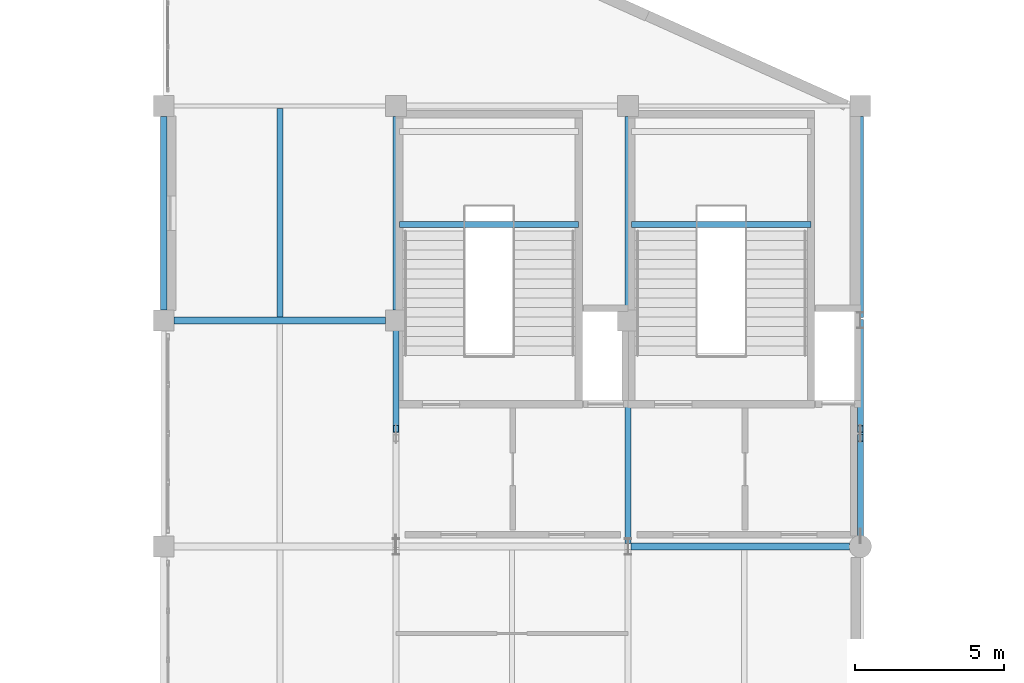
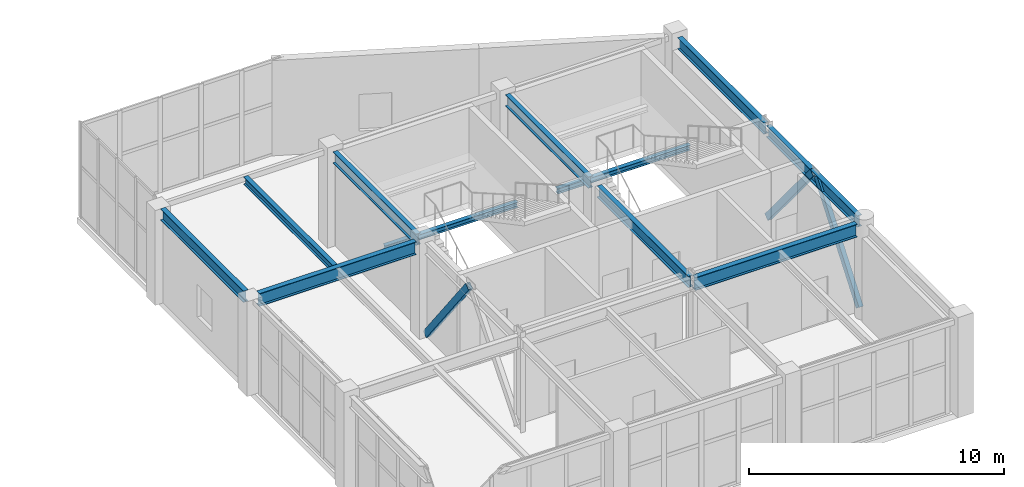
# One storey, part 46 of 72: 11 beams, 3 members.
"""IFC4 building model written with IfcOpenShell, lengths in metres."""

from ifc_helpers import new_model, si_unit, direction, frame, origin, origin_2d, place, context, subcontext, project, spatial, hollow_rectangle, i_section, extrude, material, material_profile, profile_set, type_object, element, save


model = new_model("IFC4")

# Units and contexts
model_context = context("Model", 3, precision=1e-05, world=origin(), true_north=direction((0.0, 1.0)))
body_context = subcontext(model_context, "Body", "Model", "MODEL_VIEW")
ifc_project = project(units=[si_unit("LENGTHUNIT", "METRE"), si_unit("AREAUNIT", "SQUARE_METRE"), si_unit("VOLUMEUNIT", "CUBIC_METRE"), si_unit("PLANEANGLEUNIT", "RADIAN"), si_unit("MASSUNIT", "GRAM", prefix="KILO")], contexts=[model_context])

# Site, building, storey
site_placement = place(None, origin())
site = spatial("IfcSite", under=ifc_project, at=site_placement, CompositionType="ELEMENT")
building_placement = place(site_placement, origin())
building = spatial("IfcBuilding", under=site, at=building_placement, Name="Xicomal Pleat Aquarium", CompositionType="ELEMENT")
storey_placement = place(building_placement, frame((0.0, 0.0, 10.5)))
storey = spatial("IfcBuildingStorey", under=building, at=storey_placement, Name="L03", CompositionType="ELEMENT", Elevation=10.5)

# Beams
ifc_material_1 = material(Name="Structural steel A992 Gr 50", Category="steel")
ifc_material_profile_1 = material_profile(ifc_material_1, i_section(OverallWidth=0.201904296875, OverallDepth=0.2470703125, WebThickness=0.00732421875, FlangeThickness=0.010986328125, at=origin_2d()), Name="IR 250x49")
ifc_profile_set_1 = profile_set([ifc_material_profile_1], Name="Structural steel A992 Gr 50")
beam_type_1 = type_object("IfcBeamType", Name="BM-STL-IR250", PredefinedType="JOIST", material=ifc_profile_set_1)
for number, where, z_axis, x_axis, name in (
    (1, (141.719970703125, 94.426025390625, 2.0791015625), (1.0, 0.0, 0.0), (0.0, 1.0, 0.0), "ST-05-L03 half-landing bearer beam 2"),
    (2, (149.52001953125, 94.426025390625, 2.0791015625), (1.0, 0.0, 0.0), (0.0, 1.0, 0.0), "ST-06-L03 half-landing bearer beam 2"),
):
    element("IfcBeam", number, at=place(storey_placement, frame(where, z_axis=z_axis, x_axis=x_axis)), inside=storey, type_object=beam_type_1, Name=name, PredefinedType="JOIST", context=body_context, shape_type="SweptSolid", body=[
        extrude(i_section(OverallWidth=0.201904296875, OverallDepth=0.2470703125, WebThickness=0.00732421875, FlangeThickness=0.010986328125, at=origin_2d()), origin(), (0.0, 0.0, 1.0), 6.02001953125),
    ])
ifc_material_2 = material(Name="Structural steel A992 Gr 50", Category="steel")
ifc_material_profile_2 = material_profile(ifc_material_2, i_section(OverallWidth=0.205078125, OverallDepth=0.35400390625, WebThickness=0.009521484375, FlangeThickness=0.016845703125, at=origin_2d()), Name="IR 360x79")
ifc_profile_set_2 = profile_set([ifc_material_profile_2], Name="Structural steel A992 Gr 50")
beam_type_2 = type_object("IfcBeamType", Name="BM-STL-IR360", PredefinedType="JOIST", material=ifc_profile_set_2)
beam_1_placement = place(storey_placement, frame((137.699951171875, 91.318115234375, 4.363037109375), z_axis=(0.0, 1.0, 0.0), x_axis=(-1.0, 0.0, 0.0)))
element("IfcBeam", 3, at=beam_1_placement, inside=storey, type_object=beam_type_2, Name="L03 framing beam FBJ-L03-17-N-1", PredefinedType="JOIST", context=body_context, shape_type="SweptSolid", body=[
    extrude(i_section(OverallWidth=0.205078125, OverallDepth=0.35400390625, WebThickness=0.009521484375, FlangeThickness=0.016845703125, at=origin_2d()), origin(), (0.0, 0.0, 1.0), 7.00390625),
])
ifc_material_3 = material(Name="Structural steel A992 Gr 50", Category="steel")
ifc_material_profile_3 = material_profile(ifc_material_3, i_section(OverallWidth=0.2119140625, OverallDepth=0.5439453125, WebThickness=0.01318359375, FlangeThickness=0.021240234375, at=origin_2d()), Name="IR 530x123")
ifc_profile_set_3 = profile_set([ifc_material_profile_3], Name="Structural steel A992 Gr 50")
beam_type_3 = type_object("IfcBeamType", Name="BM-STL-IR530", PredefinedType="BEAM", material=ifc_profile_set_3)
for number, where, z_axis, x_axis, name in (
    (4, (133.800048828125, 91.544921875, 4.26806640625), (0.0, 1.0, 0.0), (-1.0, 0.0, 0.0), "L03 framing beam FGY-L03-17-N-P"),
    (5, (141.60009765625, 91.544921875, 4.26806640625), (0.0, 1.0, 0.0), (-1.0, 0.0, 0.0), "L03 framing beam FGY-L03-18-N-P"),
):
    element("IfcBeam", number, at=place(storey_placement, frame(where, z_axis=z_axis, x_axis=x_axis)), inside=storey, type_object=beam_type_3, Name=name, PredefinedType="BEAM", context=body_context, shape_type="SweptSolid", body=[
        extrude(i_section(OverallWidth=0.2119140625, OverallDepth=0.5439453125, WebThickness=0.01318359375, FlangeThickness=0.021240234375, at=origin_2d()), origin(), (0.0, 0.0, 1.0), 6.510009765625),
    ])
beam_2_placement = place(storey_placement, frame((149.39990234375, 83.700927734375, 4.26806640625), z_axis=(0.0, 1.0, 0.0), x_axis=(-1.0, 0.0, 0.0)))
element("IfcBeam", 6, at=beam_2_placement, inside=storey, type_object=beam_type_3, Name="L03 framing beam FGY-L03-19-M-N", PredefinedType="BEAM", context=body_context, shape_type="SweptSolid", body=[
    extrude(i_section(OverallWidth=0.2119140625, OverallDepth=0.5439453125, WebThickness=0.01318359375, FlangeThickness=0.021240234375, at=origin_2d()), origin(), (0.0, 0.0, 1.0), 7.154052734375),
])
beam_3_placement = place(storey_placement, frame((149.39990234375, 91.544921875, 4.26806640625), z_axis=(0.0, 1.0, 0.0), x_axis=(-1.0, 0.0, 0.0)))
element("IfcBeam", 7, at=beam_3_placement, inside=storey, type_object=beam_type_3, Name="L03 framing beam FGY-L03-19-N-P", PredefinedType="BEAM", context=body_context, shape_type="SweptSolid", body=[
    extrude(i_section(OverallWidth=0.2119140625, OverallDepth=0.5439453125, WebThickness=0.01318359375, FlangeThickness=0.021240234375, at=origin_2d()), origin(), (0.0, 0.0, 1.0), 6.510009765625),
])
beam_4_placement = place(storey_placement, frame((157.199951171875, 83.969970703125, 4.26806640625), z_axis=(0.0, 1.0, 0.0), x_axis=(-1.0, 0.0, 0.0)))
element("IfcBeam", 8, at=beam_4_placement, inside=storey, type_object=beam_type_3, Name="L03 framing beam FGY-L03-20-M-N", PredefinedType="BEAM", context=body_context, shape_type="SweptSolid", body=[
    extrude(i_section(OverallWidth=0.2119140625, OverallDepth=0.5439453125, WebThickness=0.01318359375, FlangeThickness=0.021240234375, at=origin_2d()), origin(), (0.0, 0.0, 1.0), 7.129150390625),
])
beam_5_placement = place(storey_placement, frame((157.199951171875, 91.301025390625, 4.26806640625), z_axis=(0.0, 1.0, 0.0), x_axis=(-1.0, 0.0, 0.0)))
element("IfcBeam", 9, at=beam_5_placement, inside=storey, type_object=beam_type_3, Name="L03 framing beam FGY-L03-20-N-P", PredefinedType="BEAM", context=body_context, shape_type="SweptSolid", body=[
    extrude(i_section(OverallWidth=0.2119140625, OverallDepth=0.5439453125, WebThickness=0.01318359375, FlangeThickness=0.021240234375, at=origin_2d()), origin(), (0.0, 0.0, 1.0), 6.75390625),
])
ifc_material_4 = material(Name="Structural steel A992 Gr 50", Category="steel")
ifc_material_profile_4 = material_profile(ifc_material_4, i_section(OverallWidth=0.22998046875, OverallDepth=0.616943359375, WebThickness=0.01318359375, FlangeThickness=0.022216796875, at=origin_2d()), Name="IR 610x140")
ifc_profile_set_4 = profile_set([ifc_material_profile_4], Name="Structural steel A992 Gr 50")
beam_type_4 = type_object("IfcBeamType", Name="BM-STL-IR610", PredefinedType="BEAM", material=ifc_profile_set_4)
beam_6_placement = place(storey_placement, frame((149.5009765625, 83.60009765625, 4.2314453125), z_axis=(1.0, 0.0, 0.0), x_axis=(0.0, 1.0, 0.0)))
element("IfcBeam", 10, at=beam_6_placement, inside=storey, type_object=beam_type_4, Name="L03 framing beam FGX-L03-19-20-M", PredefinedType="BEAM", context=body_context, shape_type="SweptSolid", body=[
    extrude(i_section(OverallWidth=0.22998046875, OverallDepth=0.616943359375, WebThickness=0.01318359375, FlangeThickness=0.022216796875, at=origin_2d()), origin(), (0.0, 0.0, 1.0), 7.3291015625),
])
beam_7_placement = place(storey_placement, frame((134.14501953125, 91.199951171875, 4.2314453125), z_axis=(1.0, 0.0, 0.0), x_axis=(0.0, 1.0, 0.0)))
element("IfcBeam", 11, at=beam_7_placement, inside=storey, type_object=beam_type_4, Name="L03 framing beam FGX-L03-17-18-N", PredefinedType="BEAM", context=body_context, shape_type="SweptSolid", body=[
    extrude(i_section(OverallWidth=0.22998046875, OverallDepth=0.616943359375, WebThickness=0.01318359375, FlangeThickness=0.022216796875, at=origin_2d()), origin(), (0.0, 0.0, 1.0), 7.10986328125),
])

# Members
ifc_material_5 = material(Name="Structural steel A500 Gr C", Category="steel")
ifc_material_profile_5 = material_profile(ifc_material_5, hollow_rectangle(XDim=0.199951171875, YDim=0.300048828125, WallThickness=0.011962890625, at=origin_2d()), Name="OR 300x200x12")
ifc_profile_set_5 = profile_set([ifc_material_profile_5], Name="Structural steel A500 Gr C")
member_type = type_object("IfcMemberType", Name="MEM-BR-OR300", PredefinedType="BRACE", material=ifc_profile_set_5)
member_1_placement = place(storey_placement, frame((157.199951171875, 83.955078125, 0.14990234375), z_axis=(0.0, 0.608224321916, 0.793765188346), x_axis=(-1.0, 0.0, 0.0)))
element("IfcMember", 12, at=member_1_placement, inside=storey, type_object=member_type, Name="L03 chevron brace 24A", PredefinedType="BRACE", context=body_context, shape_type="SweptSolid", body=[
    extrude(hollow_rectangle(XDim=0.199951171875, YDim=0.300048828125, WallThickness=0.011962890625, at=origin_2d()), origin(), (0.0, 0.0, 1.0), 5.417236328125),
])
member_2_placement = place(storey_placement, frame((157.199951171875, 91.114013671875, 0.14990234375), z_axis=(0.0, -0.638131161976, 0.769927672002), x_axis=(1.0, 0.0, 0.0)))
element("IfcMember", 13, at=member_2_placement, inside=storey, type_object=member_type, Name="L03 chevron brace 24B", PredefinedType="BRACE", context=body_context, shape_type="SweptSolid", body=[
    extrude(hollow_rectangle(XDim=0.199951171875, YDim=0.300048828125, WallThickness=0.011962890625, at=origin_2d()), origin(), (0.0, 0.0, 1.0), 5.5849609375),
])
member_3_placement = place(storey_placement, frame((141.60009765625, 90.8701171875, 0.14990234375), z_axis=(0.0, -0.611136654047, 0.791525103885), x_axis=(1.0, 0.0, 0.0)))
element("IfcMember", 14, at=member_3_placement, inside=storey, type_object=member_type, Name="L03 chevron brace 29B", PredefinedType="BRACE", context=body_context, shape_type="SweptSolid", body=[
    extrude(hollow_rectangle(XDim=0.199951171875, YDim=0.300048828125, WallThickness=0.011962890625, at=origin_2d()), origin(), (0.0, 0.0, 1.0), 5.4326171875),
])

save(model, "model.ifc")
